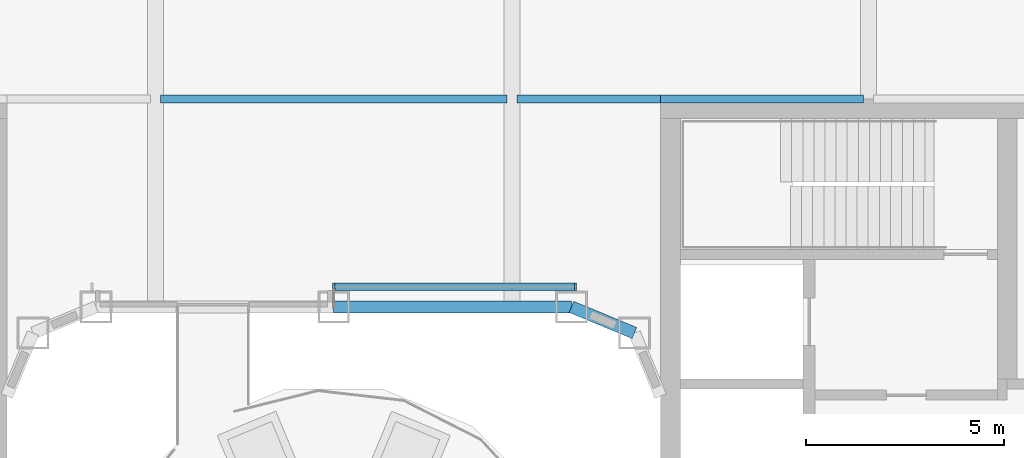
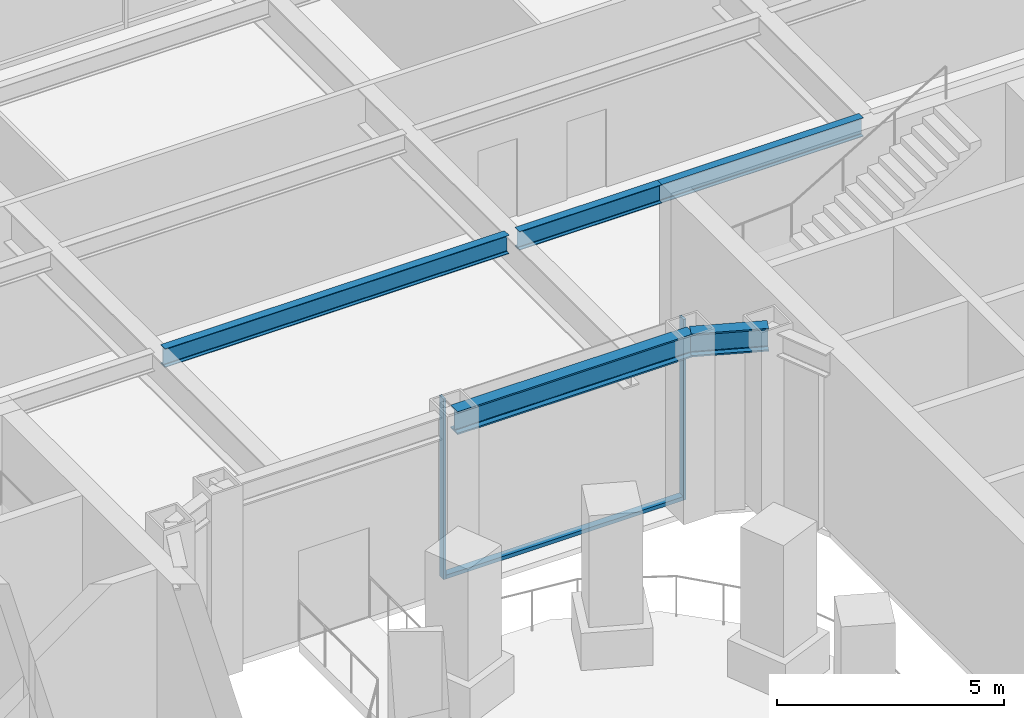
# One storey, part 8 of 25: 5 beams, 3 members, 1 element without a shape of its own.
"""IFC4 building model written with IfcOpenShell, lengths in metres."""

from ifc_helpers import new_model, si_unit, direction, frame, origin, origin_2d, place, context, subcontext, project, spatial, rectangle, i_section, extrude, material, layer, layer_set, material_profile, profile_set, type_object, element, aggregate, save


model = new_model("IFC4")

# Units and contexts
model_context = context("Model", 3, precision=1e-05, world=origin(), true_north=direction((0.0, 1.0)))
body_context = subcontext(model_context, "Body", "Model", "MODEL_VIEW")
ifc_project = project(units=[si_unit("LENGTHUNIT", "METRE"), si_unit("AREAUNIT", "SQUARE_METRE"), si_unit("VOLUMEUNIT", "CUBIC_METRE"), si_unit("PLANEANGLEUNIT", "RADIAN"), si_unit("MASSUNIT", "GRAM", prefix="KILO")], contexts=[model_context])

# Site, building, storey
site_placement = place(None, origin())
site = spatial("IfcSite", under=ifc_project, at=site_placement, CompositionType="ELEMENT")
building_placement = place(site_placement, origin())
building = spatial("IfcBuilding", under=site, at=building_placement, Name="Siwar Civic Tower", CompositionType="ELEMENT")
storey_placement = place(building_placement, frame((0.0, 0.0, 17.199951171875)))
storey = spatial("IfcBuildingStorey", under=building, at=storey_placement, Name="L03", CompositionType="ELEMENT", Elevation=17.199951171875)

# Curtain wall, members
ifc_material_1 = material(Name="Aluminium and glass", Category="aluminium")
ifc_layer = layer(ifc_material_1, 0.179931640625)
ifc_layer_set = layer_set([ifc_layer], Name="Aluminium and glass")
curtain_wall_type = type_object("IfcCurtainWallType", Name="ENV-CW-W", PredefinedType="NOTDEFINED", material=ifc_layer_set)
curtain_wall_placement = place(storey_placement, origin())
curtain_wall = element("IfcCurtainWall", 1, at=curtain_wall_placement, inside=storey, type_object=curtain_wall_type, Name="Curtain wall W WN", PredefinedType="NOTDEFINED")
ifc_material_2 = material(Name="Aluminium 6063-T6", Category="aluminium")
ifc_material_profile_1 = material_profile(ifc_material_2, rectangle(XDim=0.179931640625, YDim=0.06005859375, at=origin_2d()), Name="AL 180x60")
ifc_profile_set_1 = profile_set([ifc_material_profile_1], Name="Aluminium 6063-T6")
member_type_1 = type_object("IfcMemberType", Name="ENV-MULLION-W", PredefinedType="MULLION", material=ifc_profile_set_1)
member_1_placement = place(storey_placement, frame((6.1015625, 8.760009765625, 0.0), z_axis=(0.0, 0.0, 1.0), x_axis=(0.0, -1.0, 0.0)))
member_1 = element("IfcMember", 2, at=member_1_placement, type_object=member_type_1, Name="Mullion W WN 1", PredefinedType="MULLION", context=body_context, shape_type="SweptSolid", body=[
    extrude(rectangle(XDim=0.179931640625, YDim=0.06005859375, at=origin_2d()), origin(), (0.0, 0.0, 1.0), 4.85009765625),
])
member_2_placement = place(storey_placement, frame((0.0, 8.760009765625, 0.0), z_axis=(0.0, 0.0, 1.0), x_axis=(0.0, -1.0, 0.0)))
member_2 = element("IfcMember", 3, at=member_2_placement, type_object=member_type_1, Name="Mullion W WN 2", PredefinedType="MULLION", context=body_context, shape_type="SweptSolid", body=[
    extrude(rectangle(XDim=0.179931640625, YDim=0.06005859375, at=origin_2d()), origin(), (0.0, 0.0, 1.0), 4.85009765625),
])
ifc_material_3 = material(Name="Aluminium 6063-T6", Category="aluminium")
ifc_material_profile_2 = material_profile(ifc_material_3, rectangle(XDim=0.179931640625, YDim=0.10009765625, at=origin_2d()), Name="AL 180x100")
ifc_profile_set_2 = profile_set([ifc_material_profile_2], Name="Aluminium 6063-T6")
member_type_2 = type_object("IfcMemberType", Name="ENV-TRANSOM-W", PredefinedType="USERDEFINED", material=ifc_profile_set_2)
member_3_placement = place(storey_placement, frame((6.071533203125, 8.760009765625, 0.050048828125), z_axis=(-1.0, 0.0, 0.0), x_axis=(0.0, -1.0, 0.0)))
member_3 = element("IfcMember", 4, at=member_3_placement, type_object=member_type_2, Name="Transom W WN 1", ObjectType="TRANSOM", PredefinedType="USERDEFINED", context=body_context, shape_type="SweptSolid", body=[
    extrude(rectangle(XDim=0.179931640625, YDim=0.10009765625, at=origin_2d()), origin(), (0.0, 0.0, 1.0), 6.04150390625),
])
aggregate(curtain_wall, [member_1, member_2, member_3])

# Beams
ifc_material_4 = material(Name="Steel S355", Category="steel")
ifc_material_profile_3 = material_profile(ifc_material_4, i_section(OverallWidth=0.199951171875, OverallDepth=0.5, WebThickness=0.01025390625, FlangeThickness=0.01611328125, FilletRadius=0.02099609375, at=origin_2d()), Name="IPE500")
ifc_profile_set_3 = profile_set([ifc_material_profile_3], Name="Steel S355")
beam_type_1 = type_object("IfcBeamType", Name="STR-FB-IPE500", PredefinedType="JOIST", material=ifc_profile_set_3)
beam_1_placement = place(storey_placement, frame((-4.3701171875, 13.5, 4.60009765625), z_axis=(1.0, 0.0, 0.0), x_axis=(0.0, 1.0, 0.0)))
element("IfcBeam", 5, at=beam_1_placement, inside=storey, type_object=beam_type_1, Name="L03/bm/F039", PredefinedType="JOIST", context=body_context, shape_type="SweptSolid", body=[
    extrude(i_section(OverallWidth=0.199951171875, OverallDepth=0.5, WebThickness=0.01025390625, FlangeThickness=0.01611328125, FilletRadius=0.02099609375, at=origin_2d()), origin(), (0.0, 0.0, 1.0), 8.740234375),
])
beam_2_placement = place(storey_placement, frame((4.6298828125, 13.5, 4.60009765625), z_axis=(1.0, 0.0, 0.0), x_axis=(0.0, 1.0, 0.0)))
element("IfcBeam", 6, at=beam_2_placement, inside=storey, type_object=beam_type_1, Name="L03/bm/F040", PredefinedType="JOIST", context=body_context, shape_type="SweptSolid", body=[
    extrude(i_section(OverallWidth=0.199951171875, OverallDepth=0.5, WebThickness=0.01025390625, FlangeThickness=0.01611328125, FilletRadius=0.02099609375, at=origin_2d()), origin(), (0.0, 0.0, 1.0), 3.6201171875),
])
beam_3_placement = place(storey_placement, frame((8.25, 13.5, 4.60009765625), z_axis=(1.0, 0.0, 0.0), x_axis=(0.0, 1.0, 0.0)))
element("IfcBeam", 7, at=beam_3_placement, inside=storey, type_object=beam_type_1, Name="L03/bm/F041", PredefinedType="JOIST", context=body_context, shape_type="SweptSolid", body=[
    extrude(i_section(OverallWidth=0.199951171875, OverallDepth=0.5, WebThickness=0.01025390625, FlangeThickness=0.01611328125, FilletRadius=0.02099609375, at=origin_2d()), origin(), (0.0, 0.0, 1.0), 5.1201171875),
])
ifc_material_5 = material(Name="Steel S355", Category="steel")
ifc_material_profile_4 = material_profile(ifc_material_5, i_section(OverallWidth=0.304931640625, OverallDepth=0.6201171875, WebThickness=0.02099609375, FlangeThickness=0.0400390625, FilletRadius=0.027099609375, at=origin_2d()), Name="HEM600")
ifc_profile_set_4 = profile_set([ifc_material_profile_4], Name="Steel S355")
beam_type_2 = type_object("IfcBeamType", Name="STR-RB-HEM600", PredefinedType="BEAM", material=ifc_profile_set_4)
beam_4_placement = place(storey_placement, frame((0.0, 8.25, 4.5400390625), z_axis=(1.0, 0.0, 0.0), x_axis=(0.0, 1.0, 0.0)))
element("IfcBeam", 8, at=beam_4_placement, inside=storey, type_object=beam_type_2, Name="L03/bm/RN2", PredefinedType="BEAM", context=body_context, shape_type="SweptSolid", body=[
    extrude(i_section(OverallWidth=0.304931640625, OverallDepth=0.6201171875, WebThickness=0.02099609375, FlangeThickness=0.0400390625, FilletRadius=0.027099609375, at=origin_2d()), origin(), (0.0, 0.0, 1.0), 6.0),
])
beam_5_placement = place(storey_placement, frame((6.0, 8.25, 4.5400390625), z_axis=(0.923901072997, -0.382631424892, 0.0), x_axis=(0.382631424892, 0.923901072997, 0.0)))
element("IfcBeam", 9, at=beam_5_placement, inside=storey, type_object=beam_type_2, Name="L03/bm/RN3", PredefinedType="BEAM", context=body_context, shape_type="SweptSolid", body=[
    extrude(i_section(OverallWidth=0.304931640625, OverallDepth=0.6201171875, WebThickness=0.02099609375, FlangeThickness=0.0400390625, FilletRadius=0.027099609375, at=origin_2d()), origin(), (0.0, 0.0, 1.0), 1.72216796875),
])

save(model, "model.ifc")
